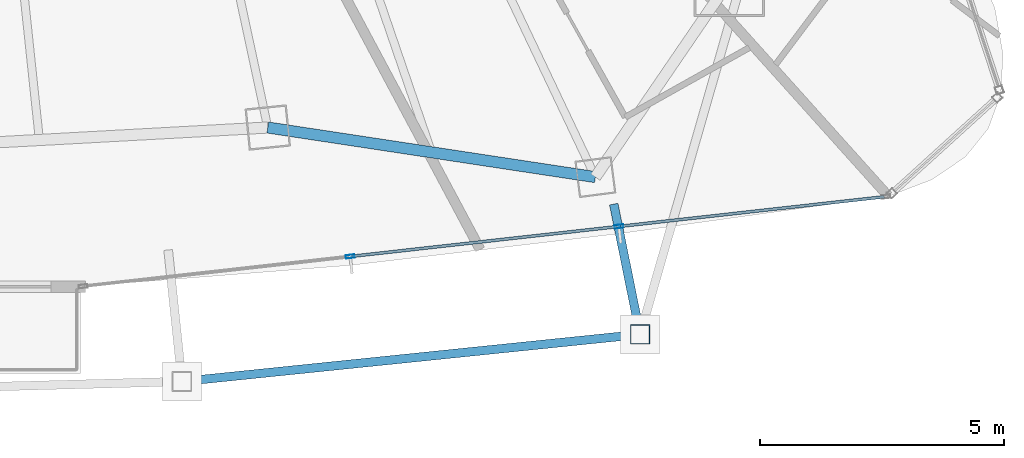
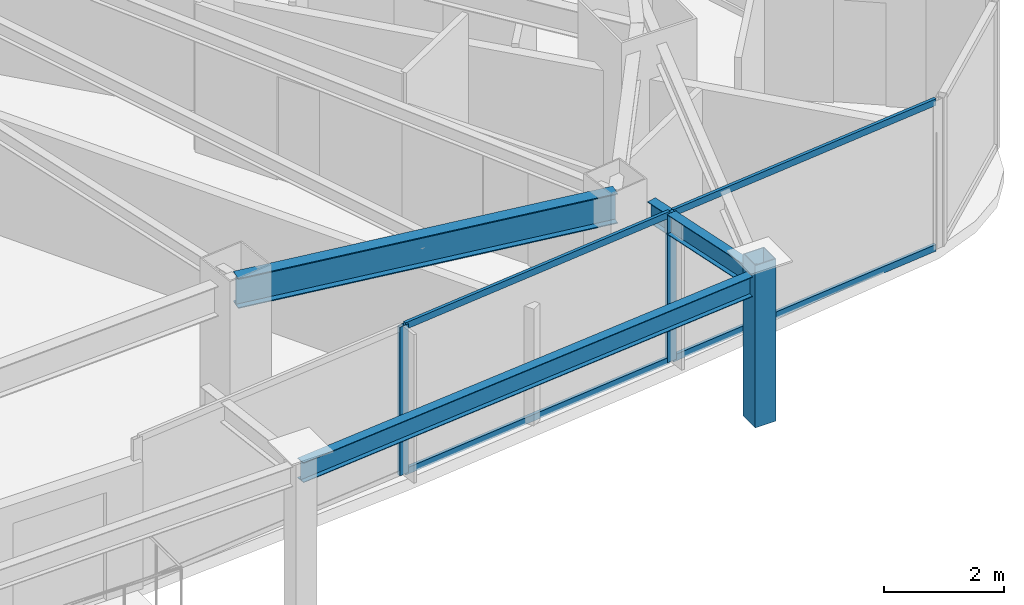
# One storey, part 14 of 31: 7 members, 3 beams, 1 element without a shape of its own.
"""IFC4 building model written with IfcOpenShell, lengths in metres."""

from ifc_helpers import new_model, si_unit, direction, frame, origin, origin_2d, place, context, subcontext, project, spatial, hollow_rectangle, i_section, extrude, material, layer, layer_set, material_profile, profile_set, type_object, element, aggregate, save


model = new_model("IFC4")

# Units and contexts
model_context = context("Model", 3, precision=1e-05, world=origin(), true_north=direction((0.0, 1.0)))
body_context = subcontext(model_context, "Body", "Model", "MODEL_VIEW")
ifc_project = project(units=[si_unit("LENGTHUNIT", "METRE"), si_unit("AREAUNIT", "SQUARE_METRE"), si_unit("VOLUMEUNIT", "CUBIC_METRE"), si_unit("PLANEANGLEUNIT", "RADIAN"), si_unit("MASSUNIT", "GRAM", prefix="KILO")], contexts=[model_context])

# Site, building, storey
site_placement = place(None, origin())
site = spatial("IfcSite", under=ifc_project, at=site_placement, CompositionType="ELEMENT")
building_placement = place(site_placement, origin())
building = spatial("IfcBuilding", under=site, at=building_placement, Name="Orvanel Arch Residences", CompositionType="ELEMENT")
storey_placement = place(building_placement, frame((0.0, 0.0, 183.64990234375)))
storey = spatial("IfcBuildingStorey", under=building, at=storey_placement, Name="L52", CompositionType="ELEMENT", Elevation=183.64990234375)

# Curtain wall, members
ifc_material_1 = material(Name="Bronze-anodised aluminium AA6063-T6", Category="aluminium")
ifc_layer = layer(ifc_material_1, 0.179931640625)
ifc_layer_set = layer_set([ifc_layer], Name="Bronze-anodised aluminium AA6063-T6")
curtain_wall_type = type_object("IfcCurtainWallType", Name="CW3-MID-SYS", PredefinedType="NOTDEFINED", material=ifc_layer_set)
curtain_wall_placement = place(storey_placement, origin())
curtain_wall = element("IfcCurtainWall", 1, at=curtain_wall_placement, inside=storey, type_object=curtain_wall_type, Name="L52 CW3-MID-SYS Unitised Curtain Wall", PredefinedType="NOTDEFINED")
ifc_material_profile_1 = material_profile(ifc_material_1, hollow_rectangle(XDim=0.070068359375, YDim=0.179931640625, WallThickness=0.00439453125, at=origin_2d()), Name="ALU180x70x4.5")
ifc_profile_set_1 = profile_set([ifc_material_profile_1], Name="Bronze-anodised aluminium AA6063-T6")
member_type_1 = type_object("IfcMemberType", Name="MUL-180x70", PredefinedType="MULLION", material=ifc_profile_set_1)
member_1_placement = place(storey_placement, frame((44.038330078125, 4.714111328125, 0.0), z_axis=(0.0, 0.0, 1.0), x_axis=(-0.111079078463, 0.993811570836, 0.0)))
member_1 = element("IfcMember", 2, at=member_1_placement, type_object=member_type_1, Name="CW-S3 mullion 2", PredefinedType="MULLION", context=body_context, shape_type="SweptSolid", body=[
    extrude(hollow_rectangle(XDim=0.070068359375, YDim=0.179931640625, WallThickness=0.00439453125, at=origin_2d()), origin(), (0.0, 0.0, 1.0), 3.02001953125),
])
member_2_placement = place(storey_placement, frame((49.540771484375, 5.3291015625, 0.0), z_axis=(0.0, 0.0, 1.0), x_axis=(-0.111079078463, 0.993811570836, 0.0)))
member_2 = element("IfcMember", 3, at=member_2_placement, type_object=member_type_1, Name="CW-S3 mullion 3", PredefinedType="MULLION", context=body_context, shape_type="SweptSolid", body=[
    extrude(hollow_rectangle(XDim=0.070068359375, YDim=0.179931640625, WallThickness=0.00439453125, at=origin_2d()), origin(), (0.0, 0.0, 1.0), 3.02001953125),
])

# Beams
ifc_material_2 = material(Name="Structural steel AS/NZS 3679.1 Grade 300 (300 MPa)", Category="steel")
ifc_material_profile_2 = material_profile(ifc_material_2, i_section(OverallWidth=0.177978515625, OverallDepth=0.406005859375, WebThickness=0.0078125, FlangeThickness=0.0126953125, at=origin_2d()), Name="410UB59.7")
ifc_profile_set_2 = profile_set([ifc_material_profile_2], Name="Structural steel AS/NZS 3679.1 Grade 300 (300 MPa)")
beam_type_1 = type_object("IfcBeamType", Name="OB-410UB-EXT", PredefinedType="SPANDREL", material=ifc_profile_set_2)
beam_1_placement = place(storey_placement, frame((40.593994140625, 2.154052734375, 2.817138671875), z_axis=(0.994752563143, 0.102310009877, 0.0), x_axis=(-0.102310009877, 0.994752563143, 0.0)))
element("IfcBeam", 4, at=beam_1_placement, inside=storey, type_object=beam_type_1, Name="L52 Outer Perimeter Floor Ring Beam 07", PredefinedType="SPANDREL", context=body_context, shape_type="SweptSolid", body=[
    extrude(i_section(OverallWidth=0.177978515625, OverallDepth=0.406005859375, WebThickness=0.0078125, FlangeThickness=0.0126953125, at=origin_2d()), origin(), (0.0, 0.0, 1.0), 9.4306640625),
])
beam_2_placement = place(storey_placement, frame((49.43505859375, 5.787109375, 2.817138671875), z_axis=(0.198374891862, -0.980126217524, 0.0), x_axis=(0.980126217524, 0.198374891862, 0.0)))
element("IfcBeam", 5, at=beam_2_placement, inside=storey, type_object=beam_type_1, Name="L52 Outer Frame Radial Tie Beam 08", PredefinedType="SPANDREL", context=body_context, shape_type="SweptSolid", body=[
    extrude(i_section(OverallWidth=0.177978515625, OverallDepth=0.406005859375, WebThickness=0.0078125, FlangeThickness=0.0126953125, at=origin_2d()), origin(), (0.0, 0.0, 1.0), 2.722412109375),
])
ifc_material_profile_3 = material_profile(ifc_material_2, i_section(OverallWidth=0.22900390625, OverallDepth=0.612060546875, WebThickness=0.011962890625, FlangeThickness=0.01953125, at=origin_2d()), Name="610UB125")
ifc_profile_set_3 = profile_set([ifc_material_profile_3], Name="Structural steel AS/NZS 3679.1 Grade 300 (300 MPa)")
beam_type_2 = type_object("IfcBeamType", Name="SP-610UB", PredefinedType="SPANDREL", material=ifc_profile_set_3)
beam_3_placement = place(storey_placement, frame((42.35107421875, 7.35498046875, 2.714111328125), z_axis=(0.988726323014, -0.149733958002, 0.0), x_axis=(0.149733958002, 0.988726323014, 0.0)))
element("IfcBeam", 6, at=beam_3_placement, inside=storey, type_object=beam_type_2, Name="L52 Perimeter Spandrel Beam 07", PredefinedType="SPANDREL", context=body_context, shape_type="SweptSolid", body=[
    extrude(i_section(OverallWidth=0.22900390625, OverallDepth=0.612060546875, WebThickness=0.011962890625, FlangeThickness=0.01953125, at=origin_2d()), origin(), (0.0, 0.0, 1.0), 6.784423828125),
])

# Member
ifc_material_3 = material(Name="Structural steel AS/NZS 1163 C450L0 (Grade 450)", Category="steel")
ifc_material_profile_4 = material_profile(ifc_material_3, hollow_rectangle(XDim=0.39990234375, YDim=0.39990234375, WallThickness=0.01611328125, at=origin_2d()), Name="SHS400x400x16")
ifc_profile_set_4 = profile_set([ifc_material_profile_4], Name="Structural steel AS/NZS 1163 C450L0 (Grade 450)")
member_type_2 = type_object("IfcMemberType", Name="ST-400SHS-EXT", PredefinedType="STRUT", material=ifc_profile_set_4)
member_3_placement = place(storey_placement, frame((49.97509765625, 3.118896484375, 0.0), z_axis=(0.0, 0.0, 1.0), x_axis=(1.0, 0.0, 0.0)))
element("IfcMember", 7, at=member_3_placement, inside=storey, type_object=member_type_2, Name="L52 Outer Perimeter Frame Post 08", PredefinedType="STRUT", context=body_context, shape_type="SweptSolid", body=[
    extrude(hollow_rectangle(XDim=0.39990234375, YDim=0.39990234375, WallThickness=0.01611328125, at=origin_2d()), origin(), (0.0, 0.0, 1.0), 3.300048828125),
])

ifc_material_profile_5 = material_profile(ifc_material_1, hollow_rectangle(XDim=0.06005859375, YDim=0.135009765625, WallThickness=0.00390625, at=origin_2d()), Name="ALU135x60x4")
ifc_profile_set_5 = profile_set([ifc_material_profile_5], Name="Bronze-anodised aluminium AA6063-T6")
member_type_3 = type_object("IfcMemberType", Name="TRN-135x60", PredefinedType="USERDEFINED", material=ifc_profile_set_5)
member_4_placement = place(storey_placement, frame((44.072998046875, 4.7177734375, 0.030029296875), z_axis=(0.993807797846, 0.111112829778, 0.0), x_axis=(-0.111112829778, 0.993807797846, 0.0)))
member_4 = element("IfcMember", 8, at=member_4_placement, type_object=member_type_3, Name="CW-S3 transom 2.1", ObjectType="TRANSOM", PredefinedType="USERDEFINED", context=body_context, shape_type="SweptSolid", body=[
    extrude(hollow_rectangle(XDim=0.06005859375, YDim=0.135009765625, WallThickness=0.00390625, at=origin_2d()), origin(), (0.0, 0.0, 1.0), 5.466796875),
])

member_5_placement = place(storey_placement, frame((44.072998046875, 4.7177734375, 2.989990234375), z_axis=(0.993807797846, 0.111112829778, 0.0), x_axis=(-0.111112829778, 0.993807797846, 0.0)))
member_5 = element("IfcMember", 9, at=member_5_placement, type_object=member_type_3, Name="CW-S3 transom 2.2", ObjectType="TRANSOM", PredefinedType="USERDEFINED", context=body_context, shape_type="SweptSolid", body=[
    extrude(hollow_rectangle(XDim=0.06005859375, YDim=0.135009765625, WallThickness=0.00390625, at=origin_2d()), origin(), (0.0, 0.0, 1.0), 5.466796875),
])

member_6_placement = place(storey_placement, frame((49.575439453125, 5.3330078125, 0.030029296875), z_axis=(0.993812819151, 0.111067909368, 0.0), x_axis=(-0.111067909368, 0.993812819151, 0.0)))
member_6 = element("IfcMember", 10, at=member_6_placement, type_object=member_type_3, Name="CW-S3 transom 3.1", ObjectType="TRANSOM", PredefinedType="USERDEFINED", context=body_context, shape_type="SweptSolid", body=[
    extrude(hollow_rectangle(XDim=0.06005859375, YDim=0.135009765625, WallThickness=0.00390625, at=origin_2d()), origin(), (0.0, 0.0, 1.0), 5.431640625),
])

member_7_placement = place(storey_placement, frame((49.575439453125, 5.3330078125, 2.989990234375), z_axis=(0.993812819151, 0.111067909368, 0.0), x_axis=(-0.111067909368, 0.993812819151, 0.0)))
member_7 = element("IfcMember", 11, at=member_7_placement, type_object=member_type_3, Name="CW-S3 transom 3.2", ObjectType="TRANSOM", PredefinedType="USERDEFINED", context=body_context, shape_type="SweptSolid", body=[
    extrude(hollow_rectangle(XDim=0.06005859375, YDim=0.135009765625, WallThickness=0.00390625, at=origin_2d()), origin(), (0.0, 0.0, 1.0), 5.431640625),
])

aggregate(curtain_wall, [member_1, member_2, member_4, member_5, member_6, member_7])

save(model, "model.ifc")
